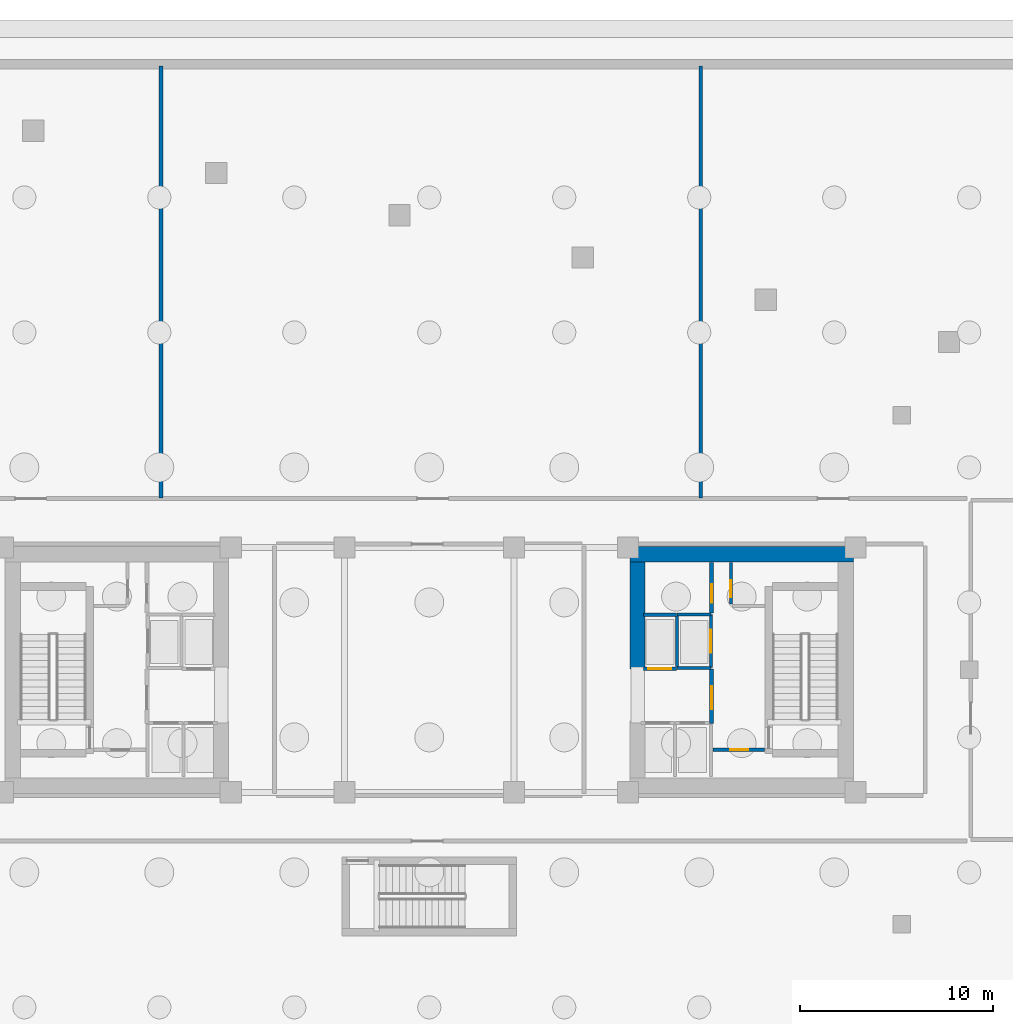
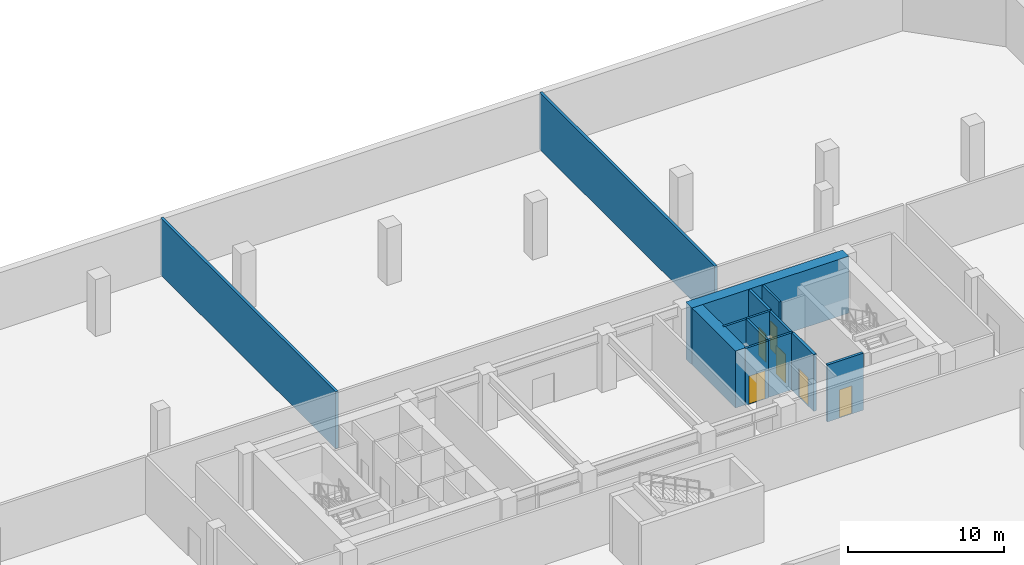
# One storey, part 5 of 10: 14 walls, 6 doors, 6 openings.
"""IFC4 building model written with IfcOpenShell, lengths in metres."""

import ifcopenshell
import ifcopenshell.guid

model = None  # the IFC model being written
_history = None  # IfcOwnerHistory: only IFC2X3 demands one
_inside = {}  # id of a spatial element -> (the spatial element, [elements in it])
_under = {}  # id of a project, library or spatial element -> (it, [spatial elements below it])
_declared = {}  # id of a project -> (the project, [libraries it declares])
_typed = {}  # id of a type object -> (the type object, [elements of that type])
_made_of = {}  # id of a material, layer set ... -> (it, [elements and type objects made of it])


def new_model(schema):
    """Start an empty IFC model of exactly this schema.

    Asked for "IFC4X3", IfcOpenShell would pick the latest addendum, in which some entities
    have other attributes; the version numbers below select the first issue.
    IFC2X3 requires an IfcOwnerHistory on every rooted entity: one is made here for all.
    """
    global model, _history
    if schema == "IFC4X3":
        model = ifcopenshell.file(schema_version=(4, 3, 0, 0))
    else:
        model = ifcopenshell.file(schema=schema)
    _inside.clear()
    _under.clear()
    _declared.clear()
    _typed.clear()
    _made_of.clear()
    _history = None
    if model.schema == "IFC2X3":
        org = make("IfcOrganization", Name="unknown")
        user = make(
            "IfcPersonAndOrganization",
            ThePerson=make("IfcPerson", FamilyName="unknown"),
            TheOrganization=org,
        )
        app = make(
            "IfcApplication",
            ApplicationDeveloper=org,
            Version="unknown",
            ApplicationFullName="unknown",
            ApplicationIdentifier="unknown",
        )
        _history = make(
            "IfcOwnerHistory",
            OwningUser=user,
            OwningApplication=app,
            ChangeAction="ADDED",
            CreationDate=0,
        )
    return model


def make(cls, **values):
    """One entity of the class cls with the attributes given. An attribute that is None is left unset."""
    return model.create_entity(
        cls, **{name: value for name, value in values.items() if value is not None}
    )


def rooted(cls, **values):
    """An entity with a GlobalId (a new one), such as an element, a storey or a relation."""
    return make(cls, GlobalId=ifcopenshell.guid.new(), OwnerHistory=_history, **values)


def si_unit(unit_type, name, prefix=None):
    """IfcSIUnit, for example si_unit("LENGTHUNIT", "METRE", prefix="MILLI")."""
    return make("IfcSIUnit", UnitType=unit_type, Prefix=prefix, Name=name)


def assignment(units):
    """IfcUnitAssignment: the units of a project."""
    return None if units is None else make("IfcUnitAssignment", Units=units)


def point(xyz):
    """IfcCartesianPoint."""
    return None if xyz is None else make("IfcCartesianPoint", Coordinates=xyz)


def direction(xyz):
    """IfcDirection."""
    return None if xyz is None else make("IfcDirection", DirectionRatios=xyz)


def frame(location, z_axis=None, x_axis=None):
    """IfcAxis2Placement3D, a coordinate frame: its origin and axes. An axis left out is left unset."""
    return make(
        "IfcAxis2Placement3D",
        Location=point(location),
        Axis=direction(z_axis),
        RefDirection=direction(x_axis),
    )


def frame_2d(location, x_axis=None):
    """IfcAxis2Placement2D, a coordinate frame in the plane: its origin and x axis."""
    return make(
        "IfcAxis2Placement2D", Location=point(location), RefDirection=direction(x_axis)
    )


def origin():
    """The frame at (0, 0, 0) with its axes left unset."""
    return frame((0.0, 0.0, 0.0))


def place(relative_to, where):
    """IfcLocalPlacement: puts the frame where relative to a parent placement (None: the world)."""
    return make(
        "IfcLocalPlacement", PlacementRelTo=relative_to, RelativePlacement=where
    )


def context(
    kind, dimensions, precision=None, world=None, true_north=None, identifier=None
):
    """IfcGeometricRepresentationContext, for example the 3D "Model" context."""
    return make(
        "IfcGeometricRepresentationContext",
        ContextIdentifier=identifier,
        ContextType=kind,
        CoordinateSpaceDimension=dimensions,
        Precision=precision,
        WorldCoordinateSystem=world,
        TrueNorth=true_north,
    )


def subcontext(parent, identifier, kind, view, scale=None):
    """IfcGeometricRepresentationSubContext, for example "Body" below "Model"."""
    return make(
        "IfcGeometricRepresentationSubContext",
        ContextIdentifier=identifier,
        ContextType=kind,
        ParentContext=parent,
        TargetScale=scale,
        TargetView=view,
    )


def project(units=None, contexts=None):
    """IfcProject with its units and contexts."""
    return rooted(
        "IfcProject",
        Name="project",
        RepresentationContexts=contexts,
        UnitsInContext=assignment(units),
    )


def spatial(cls, under=None, at=None, **own):
    """A site, building, storey or space (cls), placed at a placement, below another one or the project."""
    s = rooted(cls, ObjectPlacement=at, **own)
    if under is not None:
        _under.setdefault(under.id(), (under, []))[1].append(s)
    return s


def profile(cls, at=None, kind="AREA", **sizes):
    """A parametric profile (cls). Its sizes go by their IFC names, for example OverallWidth=200.0."""
    return make(cls, ProfileType=kind, Position=at, **sizes)


def rectangle(**sizes):
    """IfcRectangleProfileDef."""
    return profile("IfcRectangleProfileDef", **sizes)


def extrude(swept, where, along, depth):
    """IfcExtrudedAreaSolid: the profile swept, set in the frame where, extruded along a direction by depth."""
    return make(
        "IfcExtrudedAreaSolid",
        SweptArea=swept,
        Position=where,
        ExtrudedDirection=direction(along),
        Depth=depth,
    )


def shape(context_of_items, identifier, shape_type, items):
    """IfcShapeRepresentation: the items that make up one representation, for example the "Body"."""
    return make(
        "IfcShapeRepresentation",
        ContextOfItems=context_of_items,
        RepresentationIdentifier=identifier,
        RepresentationType=shape_type,
        Items=items,
    )


def material(Name=None, Category=None):
    """IfcMaterial."""
    return make("IfcMaterial", Name=Name, Category=Category)


def layer(
    of_material, thickness, ventilated=None, Name=None, Category=None, Priority=None
):
    """IfcMaterialLayer: one layer of a wall or slab, of a material (None: an air gap)."""
    return make(
        "IfcMaterialLayer",
        Material=of_material,
        LayerThickness=thickness,
        IsVentilated=ventilated,
        Name=Name,
        Category=Category,
        Priority=Priority,
    )


def layer_set(layers, Name=None):
    """IfcMaterialLayerSet."""
    return make("IfcMaterialLayerSet", MaterialLayers=layers, LayerSetName=Name)


def made_of(thing, what):
    """Note that an element or type object is made of a material, layer set ...; save() writes the relation."""
    if what is not None:
        _made_of.setdefault(what.id(), (what, []))[1].append(thing)
    return thing


def type_object(cls, material=None, **own):
    """A type object (cls), such as IfcWallType, which elements share."""
    return made_of(rooted(cls, **own), material)


def element(
    cls,
    number,
    at=None,
    inside=None,
    cuts=None,
    type_object=None,
    material=None,
    context=None,
    identifier="Body",
    shape_type=None,
    held_by="IfcProductDefinitionShape",
    body=None,
    shapes=None,
    **own,
):
    """One element of the class cls, such as IfcWall. Its Tag is "e" and its number.

    at: its placement. inside: the storey or other place that contains it. cuts: it is an
    opening in that element (IfcRelVoidsElement). A single representation is given by context,
    identifier, shape_type and body (its items); several are given by shapes. held_by: the class
    of the entity that holds the representations. save() writes the other relations.
    """
    e = rooted(cls, Tag="e%d" % number, ObjectPlacement=at, **own)
    if body is not None:
        shapes = [shape(context, identifier, shape_type, body)]
    if shapes is not None:
        e.Representation = make(held_by, Representations=shapes)
    if inside is not None:
        _inside.setdefault(inside.id(), (inside, []))[1].append(e)
    if cuts is not None:
        rooted(
            "IfcRelVoidsElement", RelatingBuildingElement=cuts, RelatedOpeningElement=e
        )
    if type_object is not None:
        _typed.setdefault(type_object.id(), (type_object, []))[1].append(e)
    return made_of(e, material)


def fill(opening, filler):
    """IfcRelFillsElement: the door or window that sits in an opening."""
    return rooted(
        "IfcRelFillsElement",
        RelatingOpeningElement=opening,
        RelatedBuildingElement=filler,
    )


def aggregate(whole, parts):
    """IfcRelAggregates: a whole, such as a stair, and the parts it consists of."""
    return rooted("IfcRelAggregates", RelatingObject=whole, RelatedObjects=parts)


def save(model, path):
    """Write the relations noted so far, then the file.

    IfcRelAggregates (storeys below a building ...), IfcRelContainedInSpatialStructure (elements
    in a storey), IfcRelDefinesByType, IfcRelAssociatesMaterial and IfcRelDeclares: one each for
    every whole, place, type object, material and project.
    """
    for whole, parts in _under.values():
        aggregate(whole, parts)
    for where, things in _inside.values():
        rooted(
            "IfcRelContainedInSpatialStructure",
            RelatedElements=things,
            RelatingStructure=where,
        )
    for kind, things in _typed.values():
        rooted("IfcRelDefinesByType", RelatedObjects=things, RelatingType=kind)
    for what, things in _made_of.values():
        rooted("IfcRelAssociatesMaterial", RelatedObjects=things, RelatingMaterial=what)
    for by, libraries in _declared.values():
        rooted("IfcRelDeclares", RelatingContext=by, RelatedDefinitions=libraries)
    model.write(path)


model = new_model("IFC4")

# Units and contexts
model_context = context("Model", 3, precision=1e-05, world=origin(), true_north=direction((0.0, 1.0)))
body_context = subcontext(model_context, "Body", "Model", "MODEL_VIEW")
ifc_project = project(units=[si_unit("LENGTHUNIT", "METRE"), si_unit("AREAUNIT", "SQUARE_METRE"), si_unit("VOLUMEUNIT", "CUBIC_METRE"), si_unit("PLANEANGLEUNIT", "RADIAN"), si_unit("MASSUNIT", "GRAM", prefix="KILO")], contexts=[model_context])

# Site, building, storey
site_placement = place(None, origin())
site = spatial("IfcSite", under=ifc_project, at=site_placement, CompositionType="ELEMENT")
building_placement = place(site_placement, origin())
building = spatial("IfcBuilding", under=site, at=building_placement, Name="Tavrogorsk Clinical Tower", CompositionType="ELEMENT")
storey_placement = place(building_placement, frame((0.0, 0.0, -10.199951171875)))
storey = spatial("IfcBuildingStorey", under=building, at=storey_placement, Name="B2", CompositionType="ELEMENT", Elevation=-10.199951171875)

# Wall, opening, door
ifc_material_1 = material(Name="Concrete B60", Category="concrete")
ifc_layer_1 = layer(ifc_material_1, 0.199951171875)
ifc_layer_set_1 = layer_set([ifc_layer_1], Name="Concrete B60")
wall_type_1 = type_object("IfcWallType", Name="CoreFireWall_200", PredefinedType="SOLIDWALL", material=ifc_layer_set_1)
wall_1_placement = place(storey_placement, frame((14.719970703125, -4.139892578125, 0.0), z_axis=(0.0, 0.0, 1.0), x_axis=(1.0, 0.0, 0.0)))
wall_1 = element("IfcWall", 1, at=wall_1_placement, inside=storey, type_object=wall_type_1, Name="B2 Core East South Core Room Fire Wall", PredefinedType="SOLIDWALL", context=body_context, shape_type="SweptSolid", body=[
    extrude(rectangle(XDim=2.659912109375, YDim=0.199951171875, at=frame_2d((1.330078125, 0.0))), origin(), (0.0, 0.0, 1.0), 4.449951171875),
])
opening_1_placement = place(wall_1_placement, frame((0.8798828125, 0.0, 0.0)))
opening_1 = element("IfcOpeningElement", 2, at=opening_1_placement, cuts=wall_1, Name="Opening ID-02", PredefinedType="OPENING", context=body_context, shape_type="SweptSolid", body=[
    extrude(rectangle(XDim=0.949951171875, YDim=2.199951171875, at=frame_2d((0.47509765625, 1.10009765625))), frame((0.0, 0.10986328125, 0.0), z_axis=(0.0, -1.0, 0.0), x_axis=(1.0, 0.0, 0.0)), (0.0, 0.0, 1.0), 0.219970703125),
])
ifc_material_2 = material(Name="Laminated timber leaf on aluminium frame", Category="wood")
door_type_1 = type_object("IfcDoorType", Name="InteriorDoor_ID02_950", OperationType="NOTDEFINED", PredefinedType="DOOR", material=ifc_material_2)
door_1_placement = place(opening_1_placement, origin())
door_1 = element("IfcDoor", 3, at=door_1_placement, inside=storey, type_object=door_type_1, Name="B2 Core East South Core Room Door", OperationType="SINGLE_SWING_RIGHT", OverallHeight=2.199951171875, OverallWidth=0.949951171875, PredefinedType="DOOR", context=body_context, shape_type="SweptSolid", body=[
    extrude(rectangle(XDim=0.949951171875, YDim=2.199951171875, at=frame_2d((0.47509765625, 1.10009765625))), frame((0.0, 0.02490234375, 0.0), z_axis=(0.0, -1.0, 0.0), x_axis=(1.0, 0.0, 0.0)), (0.0, 0.0, 1.0), 0.050048828125),
])
fill(opening_1, door_1)

wall_2_placement = place(storey_placement, frame((14.639892578125, 2.9599609375, 0.0), z_axis=(0.0, 0.0, 1.0), x_axis=(0.0, 1.0, 0.0)))
wall_2 = element("IfcWall", 4, at=wall_2_placement, inside=storey, type_object=wall_type_1, Name="B2 Core East North Core Room East Wall", PredefinedType="SOLIDWALL", context=body_context, shape_type="SweptSolid", body=[
    extrude(rectangle(XDim=2.60009765625, YDim=0.199951171875, at=frame_2d((1.300048828125, 0.0))), origin(), (0.0, 0.0, 1.0), 4.449951171875),
])
opening_2_placement = place(wall_2_placement, frame((0.52001953125, 0.0, 0.0)))
opening_2 = element("IfcOpeningElement", 5, at=opening_2_placement, cuts=wall_2, Name="Opening ID-02", PredefinedType="OPENING", context=body_context, shape_type="SweptSolid", body=[
    extrude(rectangle(XDim=0.949951171875, YDim=2.199951171875, at=frame_2d((0.47509765625, 1.10009765625))), frame((0.0, 0.10986328125, 0.0), z_axis=(0.0, -1.0, 0.0), x_axis=(1.0, 0.0, 0.0)), (0.0, 0.0, 1.0), 0.219970703125),
])
door_2_placement = place(opening_2_placement, origin())
door_2 = element("IfcDoor", 6, at=door_2_placement, inside=storey, type_object=door_type_1, Name="B2 Core East Core Telemetry Room Door", OperationType="SINGLE_SWING_LEFT", OverallHeight=2.199951171875, OverallWidth=0.949951171875, PredefinedType="DOOR", context=body_context, shape_type="SweptSolid", body=[
    extrude(rectangle(XDim=0.949951171875, YDim=2.199951171875, at=frame_2d((0.47509765625, 1.10009765625))), frame((0.0, 0.02490234375, 0.0), z_axis=(0.0, -1.0, 0.0), x_axis=(1.0, 0.0, 0.0)), (0.0, 0.0, 1.0), 0.050048828125),
])
fill(opening_2, door_2)

wall_3_placement = place(storey_placement, frame((14.639892578125, -2.780029296875, 0.0), z_axis=(0.0, 0.0, 1.0), x_axis=(0.0, 1.0, 0.0)))
wall_3 = element("IfcWall", 7, at=wall_3_placement, inside=storey, type_object=wall_type_1, Name="B2 Core East Firefighting Lobby Fire Wall", PredefinedType="SOLIDWALL", context=body_context, shape_type="SweptSolid", body=[
    extrude(rectangle(XDim=2.820068359375, YDim=0.199951171875, at=frame_2d((1.41015625, 0.0))), origin(), (0.0, 0.0, 1.0), 4.449951171875),
])
opening_3_placement = place(wall_3_placement, frame((0.72998046875, 0.0, 0.0)))
opening_3 = element("IfcOpeningElement", 8, at=opening_3_placement, cuts=wall_3, Name="Opening FD-01", PredefinedType="OPENING", context=body_context, shape_type="SweptSolid", body=[
    extrude(rectangle(XDim=1.199951171875, YDim=2.199951171875, at=frame_2d((0.60009765625, 1.10009765625))), frame((0.0, 0.10986328125, 0.0), z_axis=(0.0, -1.0, 0.0), x_axis=(1.0, 0.0, 0.0)), (0.0, 0.0, 1.0), 0.219970703125),
])
ifc_material_3 = material(Name="Galvanised steel fire-rated door assembly", Category="steel")
door_type_2 = type_object("IfcDoorType", Name="FireDoor_FD01_1200", OperationType="NOTDEFINED", PredefinedType="DOOR", material=ifc_material_3)
door_3_placement = place(opening_3_placement, origin())
door_3 = element("IfcDoor", 9, at=door_3_placement, inside=storey, type_object=door_type_2, Name="B2 Core East Firefighting Lobby Entry Door", OperationType="SINGLE_SWING_RIGHT", OverallHeight=2.199951171875, OverallWidth=1.199951171875, PredefinedType="DOOR", context=body_context, shape_type="SweptSolid", body=[
    extrude(rectangle(XDim=1.199951171875, YDim=2.199951171875, at=frame_2d((0.60009765625, 1.10009765625))), frame((0.0, 0.02490234375, 0.0), z_axis=(0.0, -1.0, 0.0), x_axis=(1.0, 0.0, 0.0)), (0.0, 0.0, 1.0), 0.050048828125),
])
fill(opening_3, door_3)

# Walls
for number, where, z_axis, x_axis, name in (
    (10, (-13.919921875, 8.905029296875, 0.0), (0.0, 0.0, 1.0), (0.0, 1.0, 0.0), "B2 Compartment Fire Wall 5"),
    (11, (14.080078125, 8.905029296875, 0.0), (0.0, 0.0, 1.0), (0.0, 1.0, 0.0), "B2 Compartment Fire Wall 6"),
):
    element("IfcWall", number, at=place(storey_placement, frame(where, z_axis=z_axis, x_axis=x_axis)), inside=storey, type_object=wall_type_1, Name=name, PredefinedType="SOLIDWALL", context=body_context, shape_type="SweptSolid", body=[
        extrude(rectangle(XDim=22.4150390625, YDim=0.199951171875, at=frame_2d((11.20751953125, 0.0))), origin(), (0.0, 0.0, 1.0), 4.449951171875),
    ])

# Wall, opening, door
ifc_material_4 = material(Name="Lightweight concrete blockwork B25", Category="masonry")
ifc_layer_2 = layer(ifc_material_4, 0.159912109375)
ifc_layer_set_2 = layer_set([ifc_layer_2], Name="Lightweight concrete blockwork B25")
wall_type_2 = type_object("IfcWallType", Name="ShaftWall_160", PredefinedType="PARTITIONING", material=ifc_layer_set_2)
wall_4_placement = place(storey_placement, frame((14.60009765625, 0.1201171875, 0.0), z_axis=(0.0, 0.0, 1.0), x_axis=(0.0, 1.0, 0.0)))
wall_4 = element("IfcWall", 12, at=wall_4_placement, inside=storey, type_object=wall_type_2, Name="B2 FFL-E Firefighting Lift Front Wall", PredefinedType="PARTITIONING", context=body_context, shape_type="SweptSolid", body=[
    extrude(rectangle(XDim=2.739990234375, YDim=0.159912109375, at=frame_2d((1.3701171875, 0.0))), origin(), (0.0, 0.0, 1.0), 4.449951171875),
])
opening_4_placement = place(wall_4_placement, frame((0.77001953125, 0.0, 0.0)))
opening_4 = element("IfcOpeningElement", 13, at=opening_4_placement, cuts=wall_4, Name="Opening LD", PredefinedType="OPENING", context=body_context, shape_type="SweptSolid", body=[
    extrude(rectangle(XDim=1.199951171875, YDim=2.199951171875, at=frame_2d((0.60009765625, 1.10009765625))), frame((0.0, 0.08984375, 0.0), z_axis=(0.0, -1.0, 0.0), x_axis=(1.0, 0.0, 0.0)), (0.0, 0.0, 1.0), 0.179931640625),
])
ifc_material_5 = material(Name="Brushed stainless steel AISI 304 sliding doors", Category="steel")
door_type_3 = type_object("IfcDoorType", Name="LiftLandingDoor_LD_1200", OperationType="SLIDING_TO_LEFT", PredefinedType="DOOR", material=ifc_material_5)
door_4_placement = place(opening_4_placement, origin())
door_4 = element("IfcDoor", 14, at=door_4_placement, inside=storey, type_object=door_type_3, Name="B2 FFL-E Sliding Lift Landing Door", OperationType="SLIDING_TO_LEFT", OverallHeight=2.199951171875, OverallWidth=1.199951171875, PredefinedType="DOOR", context=body_context, shape_type="SweptSolid", body=[
    extrude(rectangle(XDim=1.199951171875, YDim=2.199951171875, at=frame_2d((0.60009765625, 1.10009765625))), frame((0.0, 0.02490234375, 0.0), z_axis=(0.0, -1.0, 0.0), x_axis=(1.0, 0.0, 0.0)), (0.0, 0.0, 1.0), 0.050048828125),
])
fill(opening_4, door_4)

# Walls
for number, where, z_axis, x_axis, name in (
    (15, (12.840087890625, 0.10009765625, 0.0), (0.0, 0.0, 1.0), (1.0, 0.0, 0.0), "B2 FFL-E Shaft South Wall"),
    (16, (12.840087890625, 2.8798828125, 0.0), (0.0, 0.0, 1.0), (1.0, 0.0, 0.0), "B2 FFL-E Shaft North Wall"),
):
    element("IfcWall", number, at=place(storey_placement, frame(where, z_axis=z_axis, x_axis=x_axis)), inside=storey, type_object=wall_type_2, Name=name, PredefinedType="PARTITIONING", context=body_context, shape_type="SweptSolid", body=[
        extrude(rectangle(XDim=1.760009765625, YDim=0.159912109375, at=frame_2d((0.8798828125, 0.0))), origin(), (0.0, 0.0, 1.0), 4.449951171875),
    ])
wall_5_placement = place(storey_placement, frame((12.840087890625, 0.179931640625, 0.0), z_axis=(0.0, 0.0, 1.0), x_axis=(0.0, 1.0, 0.0)))
element("IfcWall", 17, at=wall_5_placement, inside=storey, type_object=wall_type_2, Name="B2 FFL-E Shaft Back Wall", PredefinedType="PARTITIONING", context=body_context, shape_type="SweptSolid", body=[
    extrude(rectangle(XDim=2.6201171875, YDim=0.159912109375, at=frame_2d((1.31005859375, 0.0))), origin(), (0.0, 0.0, 1.0), 4.449951171875),
])

# Wall, opening, door
wall_6_placement = place(storey_placement, frame((11.10009765625, 0.06005859375, 0.0), z_axis=(0.0, 0.0, 1.0), x_axis=(1.0, 0.0, 0.0)))
wall_6 = element("IfcWall", 18, at=wall_6_placement, inside=storey, type_object=wall_type_2, Name="B2 LP-H2 High-Zone Lift Portal Wall", PredefinedType="PARTITIONING", context=body_context, shape_type="SweptSolid", body=[
    extrude(rectangle(XDim=1.719970703125, YDim=0.159912109375, at=frame_2d((0.85986328125, 0.0))), origin(), (0.0, 0.0, 1.0), 4.449951171875),
])
opening_5_placement = place(wall_6_placement, frame((0.260009765625, 0.0, 0.0)))
opening_5 = element("IfcOpeningElement", 19, at=opening_5_placement, cuts=wall_6, Name="Opening LD", PredefinedType="OPENING", context=body_context, shape_type="SweptSolid", body=[
    extrude(rectangle(XDim=1.199951171875, YDim=2.199951171875, at=frame_2d((0.60009765625, 1.10009765625))), frame((0.0, 0.08984375, 0.0), z_axis=(0.0, -1.0, 0.0), x_axis=(1.0, 0.0, 0.0)), (0.0, 0.0, 1.0), 0.179931640625),
])
door_5_placement = place(opening_5_placement, origin())
door_5 = element("IfcDoor", 20, at=door_5_placement, inside=storey, type_object=door_type_3, Name="B2 LP-H2 Sliding Lift Landing Door", OperationType="SLIDING_TO_LEFT", OverallHeight=2.199951171875, OverallWidth=1.199951171875, PredefinedType="DOOR", context=body_context, shape_type="SweptSolid", body=[
    extrude(rectangle(XDim=1.199951171875, YDim=2.199951171875, at=frame_2d((0.60009765625, 1.10009765625))), frame((0.0, 0.02490234375, 0.0), z_axis=(0.0, -1.0, 0.0), x_axis=(1.0, 0.0, 0.0)), (0.0, 0.0, 1.0), 0.050048828125),
])
fill(opening_5, door_5)

# Wall
wall_7_placement = place(storey_placement, frame((11.10009765625, 2.860107421875, 0.0), z_axis=(0.0, 0.0, 1.0), x_axis=(1.0, 0.0, 0.0)))
element("IfcWall", 21, at=wall_7_placement, inside=storey, type_object=wall_type_2, Name="B2 LP-H2 High-Zone Lift Rear Wall", PredefinedType="PARTITIONING", context=body_context, shape_type="SweptSolid", body=[
    extrude(rectangle(XDim=1.719970703125, YDim=0.159912109375, at=frame_2d((0.85986328125, 0.0))), origin(), (0.0, 0.0, 1.0), 4.449951171875),
])

# Wall, opening, door
wall_8_placement = place(storey_placement, frame((15.639892578125, 3.405029296875, 0.0), z_axis=(0.0, 0.0, 1.0), x_axis=(0.0, 1.0, 0.0)))
wall_8 = element("IfcWall", 22, at=wall_8_placement, inside=storey, type_object=wall_type_2, Name="B2 Core East Riser West Wall", PredefinedType="PARTITIONING", context=body_context, shape_type="SweptSolid", body=[
    extrude(rectangle(XDim=2.155029296875, YDim=0.159912109375, at=frame_2d((1.07763671875, 0.0))), origin(), (0.0, 0.0, 1.0), 4.449951171875),
])
opening_6_placement = place(wall_8_placement, frame((0.35009765625, 0.0, 0.0)))
opening_6 = element("IfcOpeningElement", 23, at=opening_6_placement, cuts=wall_8, Name="Opening FD-02", PredefinedType="OPENING", context=body_context, shape_type="SweptSolid", body=[
    extrude(rectangle(XDim=0.89990234375, YDim=2.199951171875, at=frame_2d((0.449951171875, 1.10009765625))), frame((0.0, 0.08984375, 0.0), z_axis=(0.0, -1.0, 0.0), x_axis=(1.0, 0.0, 0.0)), (0.0, 0.0, 1.0), 0.179931640625),
])
ifc_material_6 = material(Name="Galvanised steel fire-rated door assembly", Category="steel")
door_type_4 = type_object("IfcDoorType", Name="FireDoor_FD02_900", OperationType="NOTDEFINED", PredefinedType="DOOR", material=ifc_material_6)
door_6_placement = place(opening_6_placement, origin())
door_6 = element("IfcDoor", 24, at=door_6_placement, inside=storey, type_object=door_type_4, Name="B2 Core East Electrical Riser Access Door", OperationType="SINGLE_SWING_LEFT", OverallHeight=2.199951171875, OverallWidth=0.89990234375, PredefinedType="DOOR", context=body_context, shape_type="SweptSolid", body=[
    extrude(rectangle(XDim=0.89990234375, YDim=2.199951171875, at=frame_2d((0.449951171875, 1.10009765625))), frame((0.0, 0.02490234375, 0.0), z_axis=(0.0, -1.0, 0.0), x_axis=(1.0, 0.0, 0.0)), (0.0, 0.0, 1.0), 0.050048828125),
])
fill(opening_6, door_6)

# Walls
ifc_material_7 = material(Name="Concrete B80", Category="concrete")
ifc_layer_3 = layer(ifc_material_7, 0.800048828125)
ifc_layer_set_3 = layer_set([ifc_layer_3], Name="Concrete B80")
wall_type_3 = type_object("IfcWallType", Name="ShearWall_800", PredefinedType="SHEAR", material=ifc_layer_set_3)
wall_9_placement = place(storey_placement, frame((10.39990234375, 6.0, 0.0), z_axis=(0.0, 0.0, 1.0), x_axis=(1.0, 0.0, 0.0)))
element("IfcWall", 25, at=wall_9_placement, inside=storey, type_object=wall_type_3, Name="B2 Core East North Shear Wall", PredefinedType="SHEAR", context=body_context, shape_type="SweptSolid", body=[
    extrude(rectangle(XDim=11.60009765625, YDim=0.800048828125, at=frame_2d((5.800048828125, 0.0))), origin(), (0.0, 0.0, 1.0), 4.449951171875),
])
wall_10_placement = place(storey_placement, frame((10.800048828125, 0.050048828125, 0.0), z_axis=(0.0, 0.0, 1.0), x_axis=(0.0, 1.0, 0.0)))
element("IfcWall", 26, at=wall_10_placement, inside=storey, type_object=wall_type_3, Name="B2 Core East Inner North Pier", PredefinedType="SHEAR", context=body_context, shape_type="SweptSolid", body=[
    extrude(rectangle(XDim=5.550048828125, YDim=0.800048828125, at=frame_2d((2.77490234375, 0.0))), origin(), (0.0, 0.0, 1.0), 4.449951171875),
])

save(model, "model.ifc")
